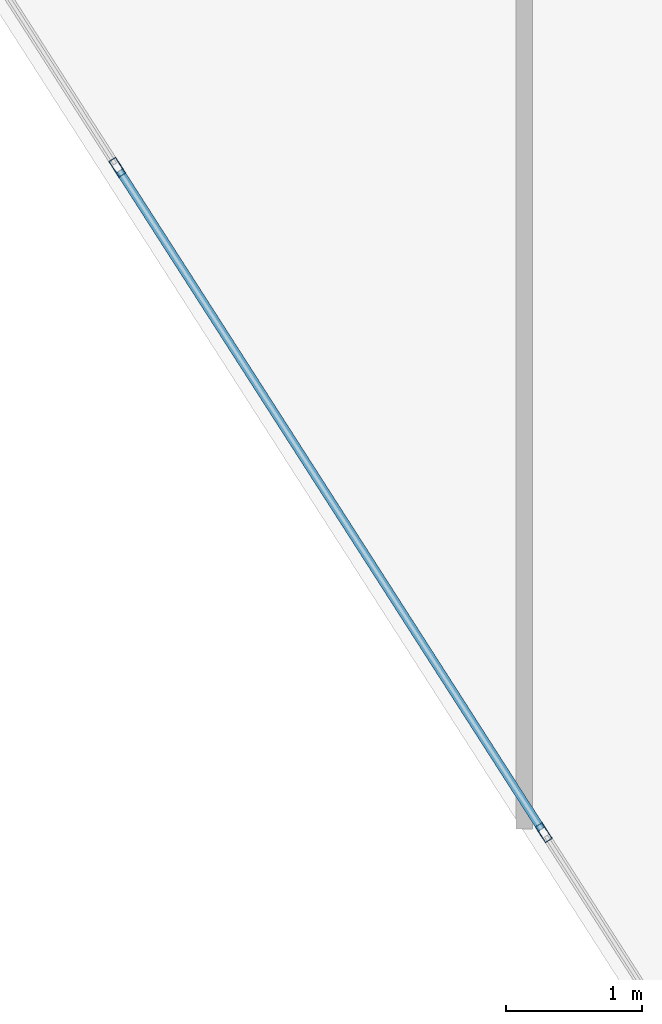
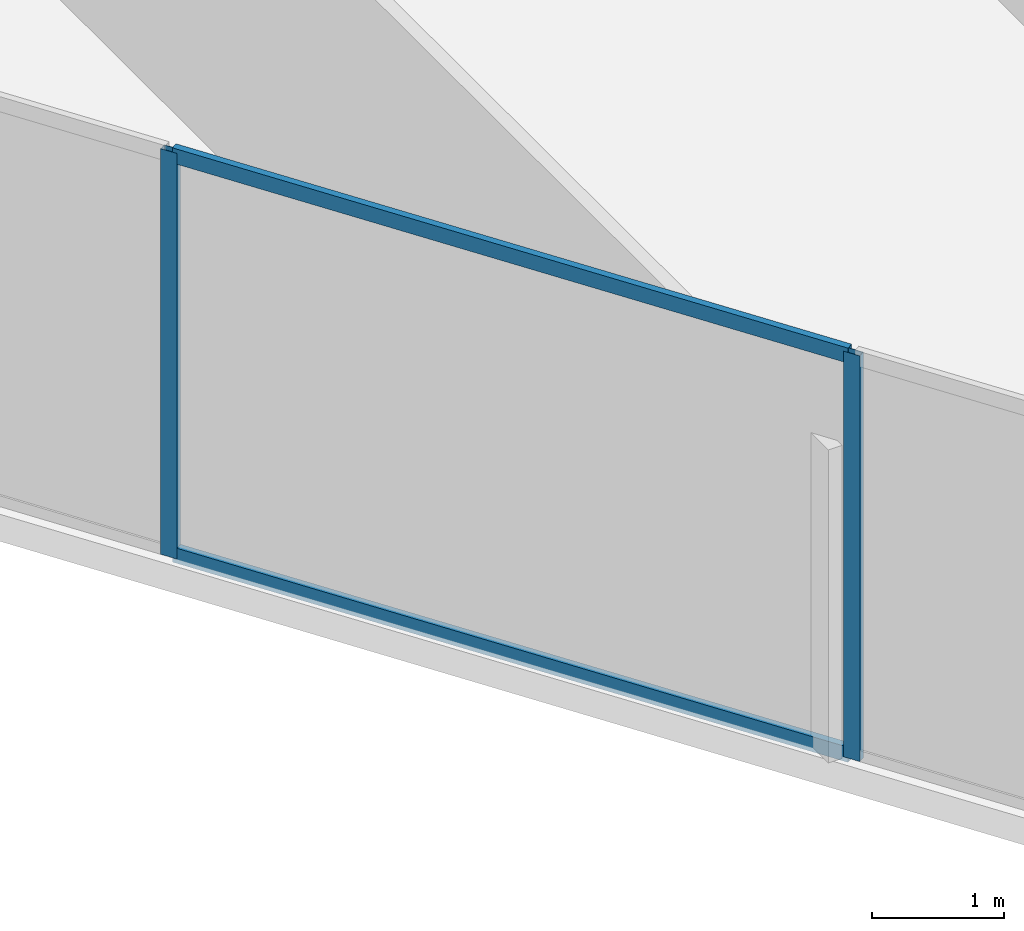
# One storey, part 17 of 26: 4 members, 1 element without a shape of its own.
"""IFC4 building model written with IfcOpenShell, lengths in metres."""

from ifc_helpers import new_model, si_unit, direction, frame, origin, origin_2d, place, context, subcontext, project, spatial, hollow_rectangle, extrude, material, layer, layer_set, material_profile, profile_set, type_object, element, aggregate, save


model = new_model("IFC4")

# Units and contexts
model_context = context("Model", 3, precision=1e-05, world=origin(), true_north=direction((0.0, 1.0)))
body_context = subcontext(model_context, "Body", "Model", "MODEL_VIEW")
ifc_project = project(units=[si_unit("LENGTHUNIT", "METRE"), si_unit("AREAUNIT", "SQUARE_METRE"), si_unit("VOLUMEUNIT", "CUBIC_METRE"), si_unit("PLANEANGLEUNIT", "RADIAN"), si_unit("MASSUNIT", "GRAM", prefix="KILO")], contexts=[model_context])

# Site, building, storey
site_placement = place(None, origin())
site = spatial("IfcSite", under=ifc_project, at=site_placement, CompositionType="ELEMENT")
building_placement = place(site_placement, origin())
building = spatial("IfcBuilding", under=site, at=building_placement, Name="Kravanh Interchange Tower", CompositionType="ELEMENT")
storey_placement = place(building_placement, frame((0.0, 0.0, 140.0)))
storey = spatial("IfcBuildingStorey", under=building, at=storey_placement, Name="L33", CompositionType="ELEMENT", Elevation=140.0)

# Curtain wall, members
ifc_material_1 = material(Name="Anodised Bronze Aluminium", Category="aluminium")
ifc_layer = layer(ifc_material_1, 0.179931640625)
ifc_layer_set = layer_set([ifc_layer], Name="Unitised Curtain Wall System CW-Z2 Mid Office")
curtain_wall_type = type_object("IfcCurtainWallType", Name="Unitised Curtain Wall System CW-Z2 Mid Office", PredefinedType="NOTDEFINED", material=ifc_layer_set)
curtain_wall_placement = place(storey_placement, origin())
curtain_wall = element("IfcCurtainWall", 1, at=curtain_wall_placement, inside=storey, type_object=curtain_wall_type, Name="L33 Unitised Curtain Wall CW-L33-04", PredefinedType="NOTDEFINED")
ifc_material_2 = material(Name="Anodised Bronze Aluminium", Category="aluminium")
ifc_material_profile_1 = material_profile(ifc_material_2, hollow_rectangle(XDim=0.06005859375, YDim=0.139892578125, WallThickness=0.00390625, at=origin_2d()), Name="ALU60X140X4")
ifc_profile_set_1 = profile_set([ifc_material_profile_1], Name="Anodised Bronze Aluminium")
member_type_1 = type_object("IfcMemberType", Name="Curtain Wall Mullion ALU60X140X4 Bronze", PredefinedType="MULLION", material=ifc_profile_set_1)
member_1_placement = place(storey_placement, frame((45.8828125, 16.12109375, 0.0), z_axis=(0.0, 0.0, 1.0), x_axis=(-0.841879939476, -0.539664865919, 0.0)))
member_1 = element("IfcMember", 2, at=member_1_placement, type_object=member_type_1, Name="CW-Z2 mullion 3", PredefinedType="MULLION", context=body_context, shape_type="SweptSolid", body=[
    extrude(hollow_rectangle(XDim=0.06005859375, YDim=0.139892578125, WallThickness=0.00390625, at=origin_2d()), origin(), (0.0, 0.0, 1.0), 3.75),
])
member_2_placement = place(storey_placement, frame((42.741455078125, 21.021728515625, 0.0), z_axis=(0.0, 0.0, 1.0), x_axis=(-0.841879939476, -0.539664865919, 0.0)))
member_2 = element("IfcMember", 3, at=member_2_placement, type_object=member_type_1, Name="CW-Z2 mullion 4", PredefinedType="MULLION", context=body_context, shape_type="SweptSolid", body=[
    extrude(hollow_rectangle(XDim=0.06005859375, YDim=0.139892578125, WallThickness=0.00390625, at=origin_2d()), origin(), (0.0, 0.0, 1.0), 3.75),
])
ifc_material_3 = material(Name="Anodised Bronze Aluminium", Category="aluminium")
ifc_material_profile_2 = material_profile(ifc_material_3, hollow_rectangle(XDim=0.06005859375, YDim=0.139892578125, WallThickness=0.00390625, at=origin_2d()), Name="ALU60X140X4")
ifc_profile_set_2 = profile_set([ifc_material_profile_2], Name="Anodised Bronze Aluminium")
member_type_2 = type_object("IfcMemberType", Name="Curtain Wall Transom ALU60X140X4 Bronze", PredefinedType="USERDEFINED", material=ifc_profile_set_2)
member_3_placement = place(storey_placement, frame((45.86669921875, 16.146484375, 0.030029296875), z_axis=(-0.539677666788, 0.84187173368, 0.0), x_axis=(-0.84187173368, -0.539677666788, 0.0)))
member_3 = element("IfcMember", 4, at=member_3_placement, type_object=member_type_2, Name="CW-Z2 transom 3.1", ObjectType="TRANSOM", PredefinedType="USERDEFINED", context=body_context, shape_type="SweptSolid", body=[
    extrude(hollow_rectangle(XDim=0.06005859375, YDim=0.139892578125, WallThickness=0.00390625, at=origin_2d()), origin(), (0.0, 0.0, 1.0), 5.760986328125),
])
member_4_placement = place(storey_placement, frame((45.86669921875, 16.146484375, 3.719970703125), z_axis=(-0.539677666788, 0.84187173368, 0.0), x_axis=(-0.84187173368, -0.539677666788, 0.0)))
member_4 = element("IfcMember", 5, at=member_4_placement, type_object=member_type_2, Name="CW-Z2 transom 3.2", ObjectType="TRANSOM", PredefinedType="USERDEFINED", context=body_context, shape_type="SweptSolid", body=[
    extrude(hollow_rectangle(XDim=0.06005859375, YDim=0.139892578125, WallThickness=0.00390625, at=origin_2d()), origin(), (0.0, 0.0, 1.0), 5.760986328125),
])
aggregate(curtain_wall, [member_1, member_2, member_3, member_4])

save(model, "model.ifc")
